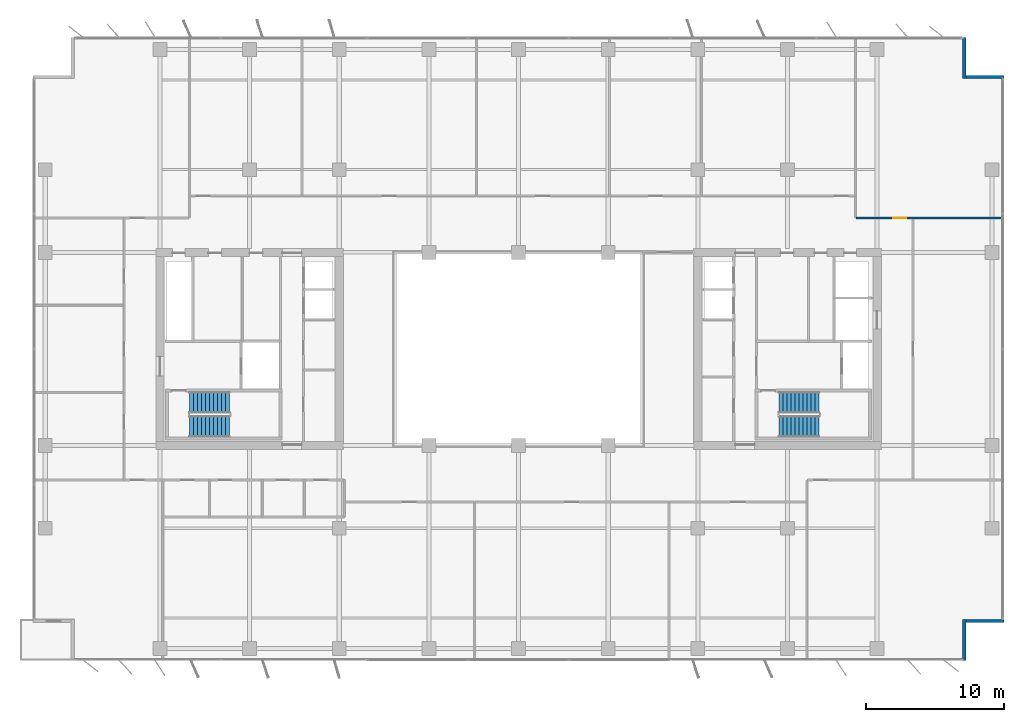
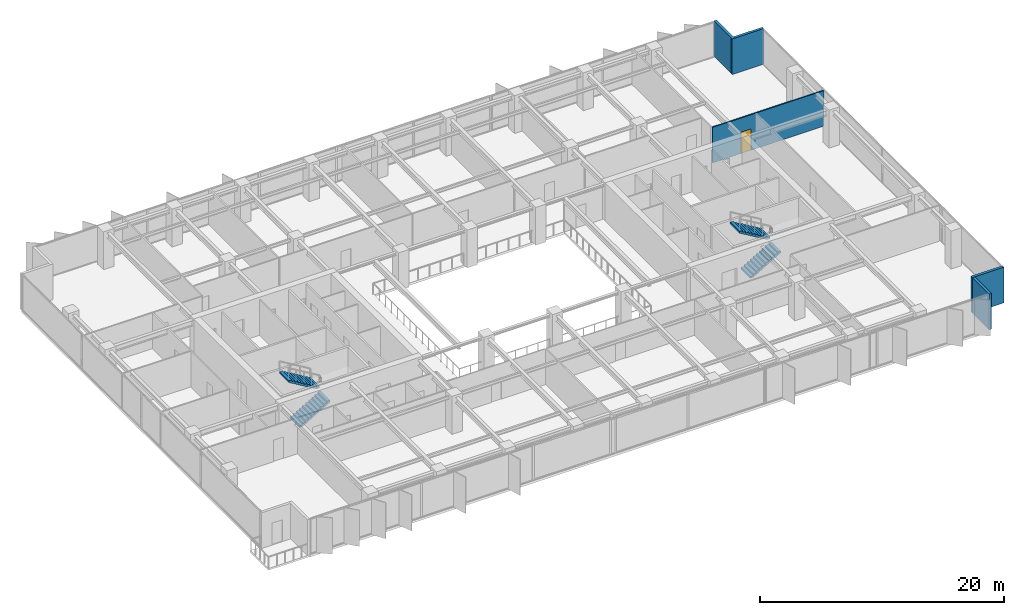
# One storey, part 18 of 22: 5 walls, 4 stair flights, 1 door, 1 opening, 2 elements without a shape of their own.
"""IFC4 building model written with IfcOpenShell, lengths in metres."""

from ifc_helpers import new_model, si_unit, direction, frame, frame_2d, origin, place, context, subcontext, project, spatial, polyline, rectangle, outline, extrude, material, layer, layer_set, type_object, element, fill, aggregate, save


model = new_model("IFC4")

# Units and contexts
model_context = context("Model", 3, precision=1e-05, world=origin(), true_north=direction((0.0, 1.0)))
body_context = subcontext(model_context, "Body", "Model", "MODEL_VIEW")
ifc_project = project(units=[si_unit("LENGTHUNIT", "METRE"), si_unit("AREAUNIT", "SQUARE_METRE"), si_unit("VOLUMEUNIT", "CUBIC_METRE"), si_unit("PLANEANGLEUNIT", "RADIAN"), si_unit("MASSUNIT", "GRAM", prefix="KILO")], contexts=[model_context])

# Site, building, storey
site_placement = place(None, origin())
site = spatial("IfcSite", under=ifc_project, at=site_placement, CompositionType="ELEMENT")
building_placement = place(site_placement, origin())
building = spatial("IfcBuilding", under=site, at=building_placement, Name="Putna Gate Headquarters", CompositionType="ELEMENT")
storey_placement = place(building_placement, frame((0.0, 0.0, 159.39990234375)))
storey = spatial("IfcBuildingStorey", under=building, at=storey_placement, Name="L39", CompositionType="ELEMENT", Elevation=159.39990234375)

# Walls
ifc_material_1 = material(Name="Precast concrete C40/50", Category="concrete")
ifc_layer_1 = layer(ifc_material_1, 0.239990234375)
ifc_layer_set_1 = layer_set([ifc_layer_1], Name="Precast concrete C40/50")
wall_type_1 = type_object("IfcWallType", Name="WALL-EXT-TERR-240", PredefinedType="STANDARD", material=ifc_layer_set_1)
for number, where, z_axis, x_axis, name in (
    (1, (71.320068359375, 48.60009765625, 0.0), (0.0, 0.0, 1.0), (0.0, -1.0, 0.0), "L39 Corner Notch Return Wall NE-V"),
    (2, (71.199951171875, 45.719970703125, 0.0), (0.0, 0.0, 1.0), (1.0, 0.0, 0.0), "L39 Corner Notch Return Wall NE-H"),
    (3, (71.320068359375, 6.39990234375, 0.0), (0.0, 0.0, 1.0), (0.0, -1.0, 0.0), "L39 Corner Notch Return Wall SE-V"),
    (4, (74.199951171875, 6.280029296875, 0.0), (0.0, 0.0, 1.0), (-1.0, 0.0, 0.0), "L39 Corner Notch Return Wall SE-H"),
):
    element("IfcWall", number, at=place(storey_placement, frame(where, z_axis=z_axis, x_axis=x_axis)), inside=storey, type_object=wall_type_1, Name=name, PredefinedType="STANDARD", context=body_context, shape_type="SweptSolid", body=[
        extrude(rectangle(XDim=3.0, YDim=0.239990234375, at=frame_2d((1.5, 0.0))), origin(), (0.0, 0.0, 1.0), 3.572021484375),
    ])

# Wall, opening, door
ifc_material_2 = material(Name="Fire-rated gypsum board on metal stud")
ifc_layer_2 = layer(ifc_material_2, 0.1201171875)
ifc_layer_set_2 = layer_set([ifc_layer_2], Name="Fire-rated gypsum board on metal stud")
wall_type_2 = type_object("IfcWallType", Name="WALL-PART-120-RATED", PredefinedType="PARTITIONING", material=ifc_layer_set_2)
wall_placement = place(storey_placement, frame((63.48291015625, 35.5, 0.0), z_axis=(0.0, 0.0, 1.0), x_axis=(1.0, 0.0, 0.0)))
wall = element("IfcWall", 5, at=wall_placement, inside=storey, type_object=wall_type_2, Name="L39 Interior Wall PART-L39-NB-CW-07", PredefinedType="PARTITIONING", context=body_context, shape_type="SweptSolid", body=[
    extrude(rectangle(XDim=10.537109375, YDim=0.1201171875, at=frame_2d((5.2685546875, 0.0))), origin(), (0.0, 0.0, 1.0), 3.572021484375),
])
opening_placement = place(wall_placement, frame((2.68701171875, 0.0, 0.0)))
opening = element("IfcOpeningElement", 6, at=opening_placement, cuts=wall, Name="Opening FD-95", PredefinedType="OPENING", context=body_context, shape_type="SweptSolid", body=[
    extrude(rectangle(XDim=0.949951171875, YDim=2.14990234375, at=frame_2d((0.47509765625, 1.074951171875))), frame((0.0, 0.070068359375, 0.0), z_axis=(0.0, -1.0, 0.0), x_axis=(1.0, 0.0, 0.0)), (0.0, 0.0, 1.0), 0.14013671875),
])
ifc_material_3 = material(Name="Acoustic timber fire door", Category="wood")
door_type = type_object("IfcDoorType", Name="DOOR-FIRE-950", OperationType="NOTDEFINED", PredefinedType="DOOR", material=ifc_material_3)
door_placement = place(opening_placement, origin())
door = element("IfcDoor", 7, at=door_placement, inside=storey, type_object=door_type, Name="L39 Cellular Office 2 Door", OperationType="SINGLE_SWING_RIGHT", OverallHeight=2.14990234375, OverallWidth=0.949951171875, PredefinedType="DOOR", context=body_context, shape_type="SweptSolid", body=[
    extrude(rectangle(XDim=0.949951171875, YDim=2.14990234375, at=frame_2d((0.47509765625, 1.074951171875))), frame((0.0, 0.02490234375, 0.0), z_axis=(0.0, -1.0, 0.0), x_axis=(1.0, 0.0, 0.0)), (0.0, 0.0, 1.0), 0.050048828125),
])
fill(opening, door)

# Stair, stair flights
ifc_material_4 = material(Name="Concrete C40/50", Category="concrete")
stair_type_1 = type_object("IfcStairType", Name="STAIR-ST1", PredefinedType="HALF_TURN_STAIR", material=ifc_material_4)
stair_1_placement = place(storey_placement, origin())
stair_1 = element("IfcStair", 8, at=stair_1_placement, inside=storey, type_object=stair_type_1, Name="L39 West Core Exit Stair ST1", PredefinedType="HALF_TURN_STAIR")
stair_flight_type_1 = type_object("IfcStairFlightType", Name="FLIGHT-ST1", PredefinedType="STRAIGHT", material=ifc_material_4)
stair_flight_1_placement = place(storey_placement, frame((15.14990234375, 20.375, 0.0), z_axis=(0.0, 0.0, 1.0), x_axis=(1.0, 0.0, 0.0)))
stair_flight_1 = element("IfcStairFlight", 9, at=stair_flight_1_placement, type_object=stair_flight_type_1, Name="ST1 flight 1", NumberOfRisers=11, NumberOfTreads=10, PredefinedType="STRAIGHT", RiserHeight=0.172727273, TreadLength=0.29, context=body_context, shape_type="SweptSolid", body=[
    extrude(outline(polyline([(0.0, 0.0), (0.0, 0.172607421875), (0.2900390625, 0.172607421875), (0.2900390625, 0.345458984375), (0.580078125, 0.345458984375), (0.580078125, 0.51806640625), (0.8701171875, 0.51806640625), (0.8701171875, 0.69091796875), (1.159912109375, 0.69091796875), (1.159912109375, 0.863525390625), (1.449951171875, 0.863525390625), (1.449951171875, 1.036376953125), (1.739990234375, 1.036376953125), (1.739990234375, 1.208984375), (2.030029296875, 1.208984375), (2.030029296875, 1.3818359375), (2.320068359375, 1.3818359375), (2.320068359375, 1.554443359375), (2.610107421875, 1.554443359375), (2.610107421875, 1.727294921875), (2.89990234375, 1.727294921875), (2.89990234375, 1.89990234375), (2.89990234375, 1.552734375), (0.29296875, 0.0), (0.0, 0.0)])), frame((0.0, 0.77490234375, 0.0), z_axis=(0.0, -1.0, 0.0), x_axis=(1.0, 0.0, 0.0)), (0.0, 0.0, 1.0), 1.550048828125),
])
stair_flight_2_placement = place(storey_placement, frame((18.050048828125, 22.125, 1.900146484375), z_axis=(0.0, 0.0, 1.0), x_axis=(-1.0, 0.0, 0.0)))
stair_flight_2 = element("IfcStairFlight", 10, at=stair_flight_2_placement, type_object=stair_flight_type_1, Name="ST1 flight 2", NumberOfRisers=11, NumberOfTreads=10, PredefinedType="STRAIGHT", RiserHeight=0.172727273, TreadLength=0.29, context=body_context, shape_type="SweptSolid", body=[
    extrude(outline(polyline([(0.0, 0.0), (0.0, 0.172607421875), (0.2900390625, 0.172607421875), (0.2900390625, 0.345458984375), (0.580078125, 0.345458984375), (0.580078125, 0.51806640625), (0.8701171875, 0.51806640625), (0.8701171875, 0.69091796875), (1.159912109375, 0.69091796875), (1.159912109375, 0.863525390625), (1.449951171875, 0.863525390625), (1.449951171875, 1.036376953125), (1.739990234375, 1.036376953125), (1.739990234375, 1.208984375), (2.030029296875, 1.208984375), (2.030029296875, 1.3818359375), (2.320068359375, 1.3818359375), (2.320068359375, 1.554443359375), (2.610107421875, 1.554443359375), (2.610107421875, 1.727294921875), (2.89990234375, 1.727294921875), (2.89990234375, 1.89990234375), (2.89990234375, 1.552734375), (0.29296875, 0.0), (0.0, 0.0)])), frame((0.0, 0.77490234375, 0.0), z_axis=(0.0, -1.0, 0.0), x_axis=(1.0, 0.0, 0.0)), (0.0, 0.0, 1.0), 1.550048828125),
])
aggregate(stair_1, [stair_flight_1, stair_flight_2])

stair_type_2 = type_object("IfcStairType", Name="STAIR-ST2", PredefinedType="HALF_TURN_STAIR", material=ifc_material_4)
stair_2_placement = place(storey_placement, origin())
stair_2 = element("IfcStair", 11, at=stair_2_placement, inside=storey, type_object=stair_type_2, Name="L39 East Core Exit Stair ST2", PredefinedType="HALF_TURN_STAIR")
stair_flight_type_2 = type_object("IfcStairFlightType", Name="FLIGHT-ST2", PredefinedType="STRAIGHT", material=ifc_material_4)
stair_flight_3_placement = place(storey_placement, frame((57.89990234375, 20.375, 0.0), z_axis=(0.0, 0.0, 1.0), x_axis=(1.0, 0.0, 0.0)))
stair_flight_3 = element("IfcStairFlight", 12, at=stair_flight_3_placement, type_object=stair_flight_type_2, Name="ST2 flight 1", NumberOfRisers=11, NumberOfTreads=10, PredefinedType="STRAIGHT", RiserHeight=0.172727273, TreadLength=0.29, context=body_context, shape_type="SweptSolid", body=[
    extrude(outline(polyline([(0.0, 0.0), (0.0, 0.172607421875), (0.2900390625, 0.172607421875), (0.2900390625, 0.345458984375), (0.580078125, 0.345458984375), (0.580078125, 0.51806640625), (0.8701171875, 0.51806640625), (0.8701171875, 0.69091796875), (1.159912109375, 0.69091796875), (1.159912109375, 0.863525390625), (1.449951171875, 0.863525390625), (1.449951171875, 1.036376953125), (1.739990234375, 1.036376953125), (1.739990234375, 1.208984375), (2.030029296875, 1.208984375), (2.030029296875, 1.3818359375), (2.320068359375, 1.3818359375), (2.320068359375, 1.554443359375), (2.610107421875, 1.554443359375), (2.610107421875, 1.727294921875), (2.89990234375, 1.727294921875), (2.89990234375, 1.89990234375), (2.89990234375, 1.552734375), (0.29296875, 0.0), (0.0, 0.0)])), frame((0.0, 0.77490234375, 0.0), z_axis=(0.0, -1.0, 0.0), x_axis=(1.0, 0.0, 0.0)), (0.0, 0.0, 1.0), 1.550048828125),
])
stair_flight_4_placement = place(storey_placement, frame((60.800048828125, 22.125, 1.900146484375), z_axis=(0.0, 0.0, 1.0), x_axis=(-1.0, 0.0, 0.0)))
stair_flight_4 = element("IfcStairFlight", 13, at=stair_flight_4_placement, type_object=stair_flight_type_2, Name="ST2 flight 2", NumberOfRisers=11, NumberOfTreads=10, PredefinedType="STRAIGHT", RiserHeight=0.172727273, TreadLength=0.29, context=body_context, shape_type="SweptSolid", body=[
    extrude(outline(polyline([(0.0, 0.0), (0.0, 0.172607421875), (0.2900390625, 0.172607421875), (0.2900390625, 0.345458984375), (0.580078125, 0.345458984375), (0.580078125, 0.51806640625), (0.8701171875, 0.51806640625), (0.8701171875, 0.69091796875), (1.159912109375, 0.69091796875), (1.159912109375, 0.863525390625), (1.449951171875, 0.863525390625), (1.449951171875, 1.036376953125), (1.739990234375, 1.036376953125), (1.739990234375, 1.208984375), (2.030029296875, 1.208984375), (2.030029296875, 1.3818359375), (2.320068359375, 1.3818359375), (2.320068359375, 1.554443359375), (2.610107421875, 1.554443359375), (2.610107421875, 1.727294921875), (2.89990234375, 1.727294921875), (2.89990234375, 1.89990234375), (2.89990234375, 1.552734375), (0.29296875, 0.0), (0.0, 0.0)])), frame((0.0, 0.77490234375, 0.0), z_axis=(0.0, -1.0, 0.0), x_axis=(1.0, 0.0, 0.0)), (0.0, 0.0, 1.0), 1.550048828125),
])
aggregate(stair_2, [stair_flight_3, stair_flight_4])

save(model, "model.ifc")
